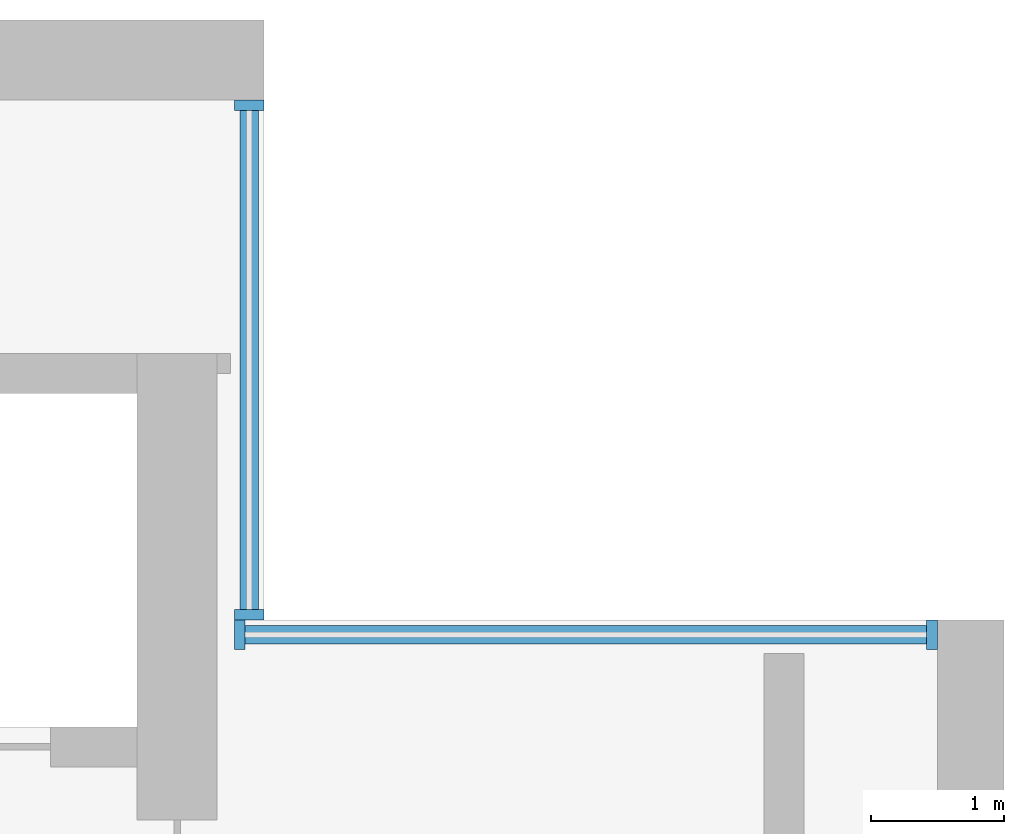
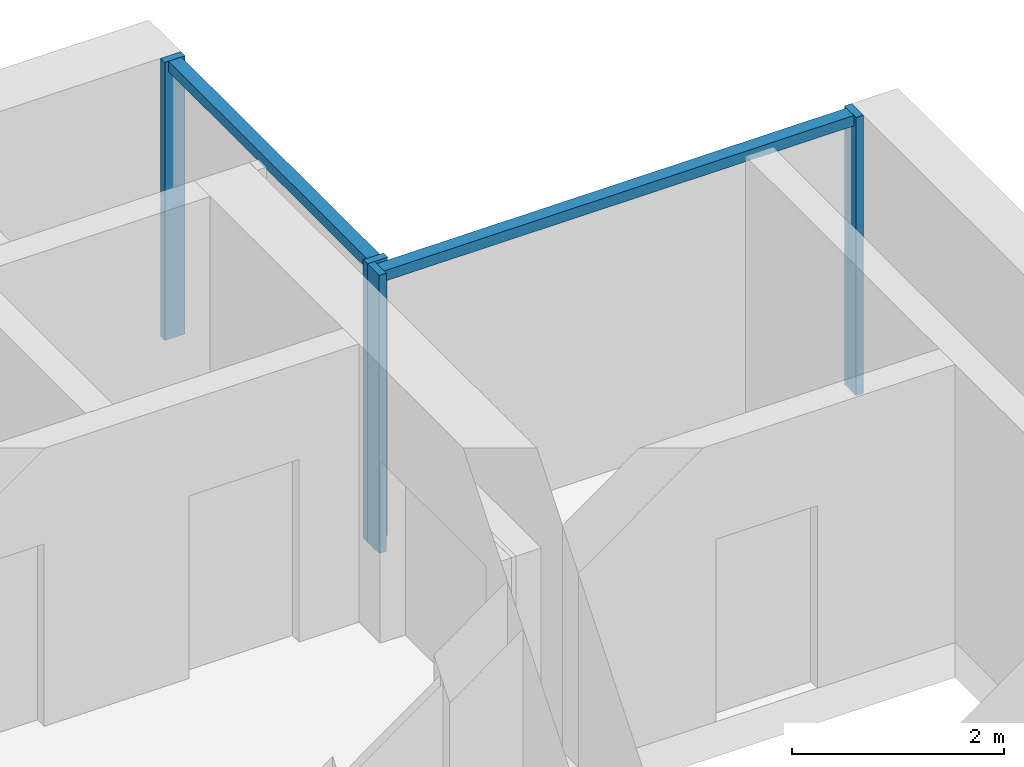
# One storey, part 5 of 14: 6 members, 2 elements without a shape of their own.
"""IFC4 building model written with IfcOpenShell, lengths in metres."""

from ifc_helpers import new_model, si_unit, direction, frame, origin, origin_2d, place, context, subcontext, project, spatial, rectangle, extrude, material, material_profile, profile_set, type_object, element, aggregate, save


model = new_model("IFC4")

# Units and contexts
model_context = context("Model", 3, precision=1e-05, world=origin(), true_north=direction((0.0, 1.0)))
body_context = subcontext(model_context, "Body", "Model", "MODEL_VIEW")
ifc_project = project(units=[si_unit("LENGTHUNIT", "METRE"), si_unit("AREAUNIT", "SQUARE_METRE"), si_unit("VOLUMEUNIT", "CUBIC_METRE"), si_unit("PLANEANGLEUNIT", "RADIAN"), si_unit("MASSUNIT", "GRAM", prefix="KILO")], contexts=[model_context])

# Site, building, storey
site_placement = place(None, origin())
site = spatial("IfcSite", under=ifc_project, at=site_placement, CompositionType="ELEMENT")
building_placement = place(site_placement, origin())
building = spatial("IfcBuilding", under=site, at=building_placement, Name="Calvaro Tower", CompositionType="ELEMENT")
storey_placement = place(building_placement, frame((0.0, 0.0, 262.14990234375)))
storey = spatial("IfcBuildingStorey", under=building, at=storey_placement, Name="L66", CompositionType="ELEMENT", Elevation=262.14990234375)

# Curtain wall, members
ifc_material_1 = material(Name="Anodised aluminium", Category="aluminium")
curtain_wall_type = type_object("IfcCurtainWallType", Name="Executive curtain wall", PredefinedType="NOTDEFINED", material=ifc_material_1)
curtain_wall_1_placement = place(storey_placement, origin())
curtain_wall_1 = element("IfcCurtainWall", 1, at=curtain_wall_1_placement, inside=storey, type_object=curtain_wall_type, Name="CW4 corner curtain wall", PredefinedType="NOTDEFINED")
ifc_material_2 = material(Name="Anodised aluminium", Category="aluminium")
ifc_material_profile_1 = material_profile(ifc_material_2, rectangle(XDim=0.219970703125, YDim=0.080078125, at=origin_2d()), Name="Mullion S4 80 x 220")
ifc_profile_set_1 = profile_set([ifc_material_profile_1], Name="Anodised aluminium")
member_type_1 = type_object("IfcMemberType", Name="Mullion S4 80 x 220", PredefinedType="MULLION", material=ifc_profile_set_1)
member_1_placement = place(storey_placement, frame((60.340087890625, 41.5400390625, 0.0), z_axis=(0.0, 0.0, 1.0), x_axis=(-1.0, 0.0, 0.0)))
member_1 = element("IfcMember", 2, at=member_1_placement, type_object=member_type_1, Name="CW4 mullion 1", PredefinedType="MULLION", context=body_context, shape_type="SweptSolid", body=[
    extrude(rectangle(XDim=0.219970703125, YDim=0.080078125, at=origin_2d()), origin(), (0.0, 0.0, 1.0), 3.2001953125),
])
member_2_placement = place(storey_placement, frame((60.340087890625, 45.360107421875, 0.0), z_axis=(0.0, 0.0, 1.0), x_axis=(-1.0, 0.0, 0.0)))
member_2 = element("IfcMember", 3, at=member_2_placement, type_object=member_type_1, Name="CW4 mullion 2", PredefinedType="MULLION", context=body_context, shape_type="SweptSolid", body=[
    extrude(rectangle(XDim=0.219970703125, YDim=0.080078125, at=origin_2d()), origin(), (0.0, 0.0, 1.0), 3.2001953125),
])

curtain_wall_2_placement = place(storey_placement, origin())
curtain_wall_2 = element("IfcCurtainWall", 4, at=curtain_wall_2_placement, inside=storey, type_object=curtain_wall_type, Name="CW4 corner curtain wall", PredefinedType="NOTDEFINED")
member_3_placement = place(storey_placement, frame((60.27001953125, 41.389892578125, 0.0), z_axis=(0.0, 0.0, 1.0), x_axis=(0.0, 1.0, 0.0)))
member_3 = element("IfcMember", 5, at=member_3_placement, type_object=member_type_1, Name="CW4 mullion 1", PredefinedType="MULLION", context=body_context, shape_type="SweptSolid", body=[
    extrude(rectangle(XDim=0.219970703125, YDim=0.080078125, at=origin_2d()), origin(), (0.0, 0.0, 1.0), 3.2001953125),
])
member_4_placement = place(storey_placement, frame((65.4599609375, 41.389892578125, 0.0), z_axis=(0.0, 0.0, 1.0), x_axis=(0.0, 1.0, 0.0)))
member_4 = element("IfcMember", 6, at=member_4_placement, type_object=member_type_1, Name="CW4 mullion 2", PredefinedType="MULLION", context=body_context, shape_type="SweptSolid", body=[
    extrude(rectangle(XDim=0.219970703125, YDim=0.080078125, at=origin_2d()), origin(), (0.0, 0.0, 1.0), 3.2001953125),
])

# Member
ifc_material_3 = material(Name="Anodised aluminium", Category="aluminium")
ifc_material_profile_2 = material_profile(ifc_material_3, rectangle(XDim=0.139892578125, YDim=0.1201171875, at=origin_2d()), Name="Transom S4 120 x 140")
ifc_profile_set_2 = profile_set([ifc_material_profile_2], Name="Anodised aluminium")
member_type_2 = type_object("IfcMemberType", Name="Transom S4 120 x 140", PredefinedType="USERDEFINED", material=ifc_profile_set_2)
member_5_placement = place(storey_placement, frame((60.340087890625, 41.580078125, 3.14013671875), z_axis=(0.0, 1.0, 0.0), x_axis=(-1.0, 0.0, 0.0)))
member_5 = element("IfcMember", 7, at=member_5_placement, type_object=member_type_2, Name="CW4 transom 1.1", ObjectType="TRANSOM", PredefinedType="USERDEFINED", context=body_context, shape_type="SweptSolid", body=[
    extrude(rectangle(XDim=0.139892578125, YDim=0.1201171875, at=origin_2d()), origin(), (0.0, 0.0, 1.0), 3.739990234375),
])

aggregate(curtain_wall_1, [member_1, member_2, member_5])

member_6_placement = place(storey_placement, frame((60.31005859375, 41.389892578125, 3.14013671875), z_axis=(1.0, 0.0, 0.0), x_axis=(0.0, 1.0, 0.0)))
member_6 = element("IfcMember", 8, at=member_6_placement, type_object=member_type_2, Name="CW4 transom 1.1", ObjectType="TRANSOM", PredefinedType="USERDEFINED", context=body_context, shape_type="SweptSolid", body=[
    extrude(rectangle(XDim=0.139892578125, YDim=0.1201171875, at=origin_2d()), origin(), (0.0, 0.0, 1.0), 5.10986328125),
])

aggregate(curtain_wall_2, [member_3, member_4, member_6])

save(model, "model.ifc")
